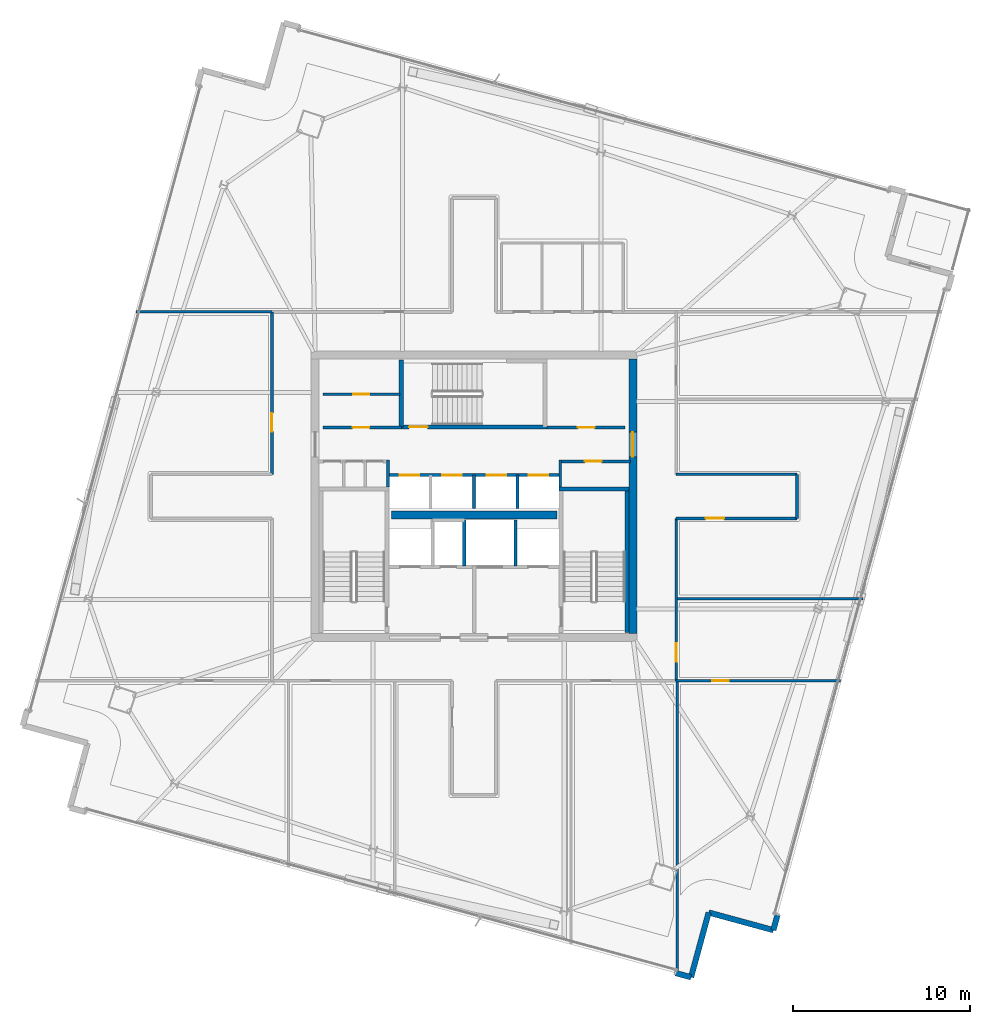
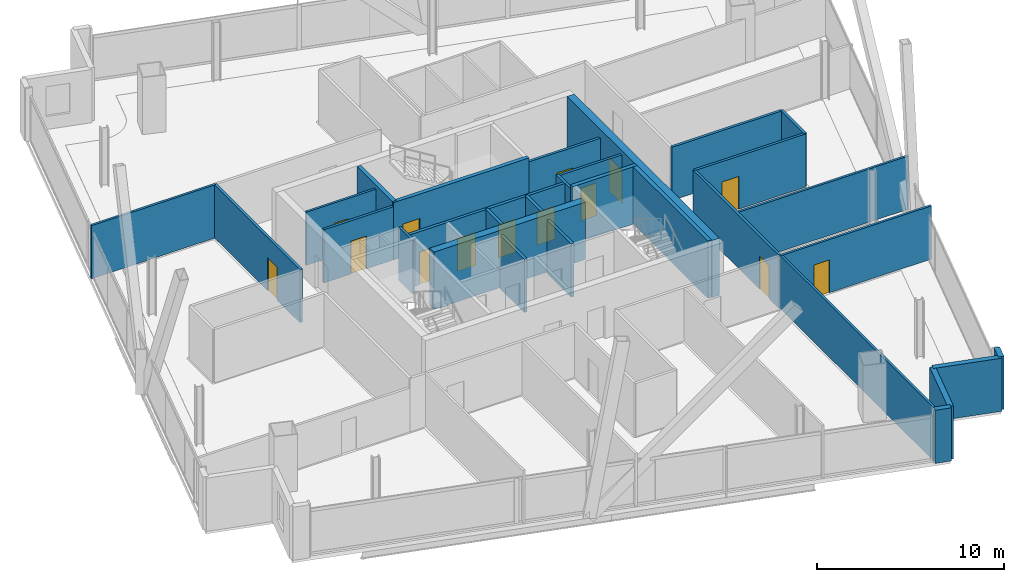
# One storey, part 21 of 26: 30 walls, 14 doors, 14 openings.
"""IFC4 building model written with IfcOpenShell, lengths in metres."""

from ifc_helpers import new_model, si_unit, direction, frame, frame_2d, origin, place, context, subcontext, project, spatial, rectangle, extrude, material, layer, layer_set, type_object, element, fill, save


model = new_model("IFC4")

# Units and contexts
model_context = context("Model", 3, precision=1e-05, world=origin(), true_north=direction((0.0, 1.0)))
body_context = subcontext(model_context, "Body", "Model", "MODEL_VIEW")
ifc_project = project(units=[si_unit("LENGTHUNIT", "METRE"), si_unit("AREAUNIT", "SQUARE_METRE"), si_unit("VOLUMEUNIT", "CUBIC_METRE"), si_unit("PLANEANGLEUNIT", "RADIAN"), si_unit("MASSUNIT", "GRAM", prefix="KILO")], contexts=[model_context])

# Site, building, storey
site_placement = place(None, origin())
site = spatial("IfcSite", under=ifc_project, at=site_placement, CompositionType="ELEMENT")
building_placement = place(site_placement, origin())
building = spatial("IfcBuilding", under=site, at=building_placement, Name="Haldenkirk Collegiate Tower", CompositionType="ELEMENT")
storey_placement = place(building_placement, frame((0.0, 0.0, 278.699951171875)))
storey = spatial("IfcBuildingStorey", under=building, at=storey_placement, Name="L70", CompositionType="ELEMENT", Elevation=278.699951171875)

# Wall, opening, door
ifc_material_1 = material(Name="Concrete f'c 55 MPa", Category="concrete")
ifc_layer_1 = layer(ifc_material_1, 0.449951171875)
ifc_layer_set_1 = layer_set([ifc_layer_1], Name="Concrete f'c 55 MPa")
wall_type_1 = type_object("IfcWallType", Name="WL-CORE-450", PredefinedType="SHEAR", material=ifc_layer_set_1)
wall_1_placement = place(storey_placement, frame((45.0, 18.22509765625, 0.0), z_axis=(0.0, 0.0, 1.0), x_axis=(0.0, 1.0, 0.0)))
wall_1 = element("IfcWall", 1, at=wall_1_placement, inside=storey, type_object=wall_type_1, Name="L70 central core shear wall E", PredefinedType="SHEAR", context=body_context, shape_type="SweptSolid", body=[
    extrude(rectangle(XDim=15.5498046875, YDim=0.449951171875, at=frame_2d((7.77490234375, 0.0))), origin(), (0.0, 0.0, 1.0), 3.75),
])
opening_1_placement = place(wall_1_placement, frame((10.014892578125, 0.0, 0.0)))
opening_1 = element("IfcOpeningElement", 2, at=opening_1_placement, cuts=wall_1, Name="Opening D-03", PredefinedType="OPENING", context=body_context, shape_type="SweptSolid", body=[
    extrude(rectangle(XDim=1.39990234375, YDim=2.199951171875, at=frame_2d((0.699951171875, 1.10009765625))), frame((0.0, 0.23486328125, 0.0), z_axis=(0.0, -1.0, 0.0), x_axis=(1.0, 0.0, 0.0)), (0.0, 0.0, 1.0), 0.469970703125),
])
ifc_material_2 = material(Name="Galvanized fire-rated hollow steel door", Category="steel")
ifc_layer_2 = layer(ifc_material_2, 0.06005859375)
ifc_layer_set_2 = layer_set([ifc_layer_2], Name="Galvanized fire-rated hollow steel door")
door_type_1 = type_object("IfcDoorType", Name="DR-LOBBY-FD90-1400", OperationType="NOTDEFINED", PredefinedType="DOOR", material=ifc_layer_set_2)
door_1_placement = place(opening_1_placement, origin())
door_1 = element("IfcDoor", 3, at=door_1_placement, inside=storey, type_object=door_type_1, Name="L70 east lift lobby portal", OperationType="DOUBLE_DOOR_SINGLE_SWING", OverallHeight=2.199951171875, OverallWidth=1.39990234375, PredefinedType="DOOR", context=body_context, shape_type="SweptSolid", body=[
    extrude(rectangle(XDim=1.39990234375, YDim=2.199951171875, at=frame_2d((0.699951171875, 1.10009765625))), frame((0.0, 0.02490234375, 0.0), z_axis=(0.0, -1.0, 0.0), x_axis=(1.0, 0.0, 0.0)), (0.0, 0.0, 1.0), 0.050048828125),
])
fill(opening_1, door_1)

# Walls
wall_2_placement = place(storey_placement, frame((31.31005859375, 24.949951171875, 0.0), z_axis=(0.0, 0.0, 1.0), x_axis=(1.0, 0.0, 0.0)))
element("IfcWall", 4, at=wall_2_placement, inside=storey, type_object=wall_type_1, Name="L70 central core spine shear wall", PredefinedType="SHEAR", context=body_context, shape_type="SweptSolid", body=[
    extrude(rectangle(XDim=9.3798828125, YDim=0.449951171875, at=frame_2d((4.68994140625, 0.0))), origin(), (0.0, 0.0, 1.0), 3.75),
])
ifc_material_3 = material(Name="Precast concrete f'c 40 MPa", Category="concrete")
ifc_layer_3 = layer(ifc_material_3, 0.320068359375)
ifc_layer_set_3 = layer_set([ifc_layer_3], Name="Precast concrete f'c 40 MPa")
wall_type_2 = type_object("IfcWallType", Name="WL-EXT-TWR-320", PredefinedType="STANDARD", material=ifc_layer_set_3)
wall_3_placement = place(storey_placement, frame((53.194580078125, 2.29248046875, 0.0), z_axis=(0.0, 0.0, 1.0), x_axis=(-0.262910777808, -0.964820150553, 0.0)))
element("IfcWall", 5, at=wall_3_placement, inside=storey, type_object=wall_type_2, Name="L70 precast corner pier SR", PredefinedType="STANDARD", context=body_context, shape_type="SweptSolid", body=[
    extrude(rectangle(XDim=0.89990234375, YDim=0.320068359375, at=frame_2d((0.449951171875, 0.0))), origin(), (0.0, 0.0, 1.0), 3.47998046875),
])
wall_4_placement = place(storey_placement, frame((48.292236328125, -1.242431640625, 0.0), z_axis=(0.0, 0.0, 1.0), x_axis=(-0.964838897514, 0.262841971237, 0.0)))
element("IfcWall", 6, at=wall_4_placement, inside=storey, type_object=wall_type_2, Name="L70 precast corner pier WL", PredefinedType="STANDARD", context=body_context, shape_type="SweptSolid", body=[
    extrude(rectangle(XDim=0.900146484375, YDim=0.320068359375, at=frame_2d((0.4501953125, 0.0))), origin(), (0.0, 0.0, 1.0), 3.47998046875),
])
wall_5_placement = place(storey_placement, frame((49.291748046875, 2.423583984375, 0.0), z_axis=(0.0, 0.0, 1.0), x_axis=(-0.263041292916, -0.964784576069, 0.0)))
element("IfcWall", 7, at=wall_5_placement, inside=storey, type_object=wall_type_2, Name="L70 bronze precast notch wall 11", PredefinedType="STANDARD", context=body_context, shape_type="SweptSolid", body=[
    extrude(rectangle(XDim=3.7998046875, YDim=0.320068359375, at=frame_2d((1.89990234375, 0.0))), origin(), (0.0, 0.0, 1.0), 3.47998046875),
])
wall_6_placement = place(storey_placement, frame((52.9580078125, 1.42431640625, 0.0), z_axis=(0.0, 0.0, 1.0), x_axis=(-0.964805323025, 0.262965185266, 0.0)))
element("IfcWall", 8, at=wall_6_placement, inside=storey, type_object=wall_type_2, Name="L70 bronze precast notch wall 12", PredefinedType="STANDARD", context=body_context, shape_type="SweptSolid", body=[
    extrude(rectangle(XDim=3.800048828125, YDim=0.320068359375, at=frame_2d((1.89990234375, 0.0))), origin(), (0.0, 0.0, 1.0), 3.47998046875),
])
ifc_material_4 = material(Name="Acoustic fire-rated gypsum partition", Category="concrete")
ifc_layer_4 = layer(ifc_material_4, 0.159912109375)
ifc_layer_set_4 = layer_set([ifc_layer_4], Name="Acoustic fire-rated gypsum partition")
wall_type_3 = type_object("IfcWallType", Name="WL-INT-CORR-160", PredefinedType="PARTITIONING", material=ifc_layer_set_4)
wall_7_placement = place(storey_placement, frame((31.1201171875, 26.5400390625, 0.0), z_axis=(0.0, 0.0, 1.0), x_axis=(0.0, 1.0, 0.0)))
element("IfcWall", 9, at=wall_7_placement, inside=storey, type_object=wall_type_3, Name="L70 interior partition IW-L70-VCSW-E", PredefinedType="PARTITIONING", context=body_context, shape_type="SweptSolid", body=[
    extrude(rectangle(XDim=1.510009765625, YDim=0.159912109375, at=frame_2d((0.7548828125, 0.0))), origin(), (0.0, 0.0, 1.0), 3.47998046875),
])

# Wall, opening, door
wall_8_placement = place(storey_placement, frame((40.800048828125, 27.97998046875, 0.0), z_axis=(0.0, 0.0, 1.0), x_axis=(1.0, 0.0, 0.0)))
wall_8 = element("IfcWall", 10, at=wall_8_placement, inside=storey, type_object=wall_type_3, Name="L70 interior partition IW-L70-VCSE-N", PredefinedType="PARTITIONING", context=body_context, shape_type="SweptSolid", body=[
    extrude(rectangle(XDim=4.050048828125, YDim=0.159912109375, at=frame_2d((2.02490234375, 0.0))), origin(), (0.0, 0.0, 1.0), 3.47998046875),
])
opening_2_placement = place(wall_8_placement, frame((1.47509765625, 0.0, 0.0)))
opening_2 = element("IfcOpeningElement", 11, at=opening_2_placement, cuts=wall_8, Name="Opening D-10", PredefinedType="OPENING", context=body_context, shape_type="SweptSolid", body=[
    extrude(rectangle(XDim=0.949951171875, YDim=2.14990234375, at=frame_2d((0.47509765625, 1.074951171875))), frame((0.0, 0.08984375, 0.0), z_axis=(0.0, -1.0, 0.0), x_axis=(1.0, 0.0, 0.0)), (0.0, 0.0, 1.0), 0.179931640625),
])
ifc_material_5 = material(Name="Solid-core architectural oak fire door", Category="wood")
ifc_layer_5 = layer(ifc_material_5, 0.06005859375)
ifc_layer_set_5 = layer_set([ifc_layer_5], Name="Solid-core architectural oak fire door")
door_type_2 = type_object("IfcDoorType", Name="DR-INT-FD60-950", OperationType="NOTDEFINED", PredefinedType="DOOR", material=ifc_layer_set_5)
door_2_placement = place(opening_2_placement, origin())
door_2 = element("IfcDoor", 12, at=door_2_placement, inside=storey, type_object=door_type_2, Name="L70 core archive vault door", OperationType="SINGLE_SWING_RIGHT", OverallHeight=2.14990234375, OverallWidth=0.949951171875, PredefinedType="DOOR", context=body_context, shape_type="SweptSolid", body=[
    extrude(rectangle(XDim=0.949951171875, YDim=2.14990234375, at=frame_2d((0.47509765625, 1.074951171875))), frame((0.0, 0.02490234375, 0.0), z_axis=(0.0, -1.0, 0.0), x_axis=(1.0, 0.0, 0.0)), (0.0, 0.0, 1.0), 0.050048828125),
])
fill(opening_2, door_2)

# Wall
wall_9_placement = place(storey_placement, frame((40.8798828125, 26.5400390625, 0.0), z_axis=(0.0, 0.0, 1.0), x_axis=(0.0, 1.0, 0.0)))
element("IfcWall", 13, at=wall_9_placement, inside=storey, type_object=wall_type_3, Name="L70 interior partition IW-L70-VCSE-W", PredefinedType="PARTITIONING", context=body_context, shape_type="SweptSolid", body=[
    extrude(rectangle(XDim=1.510009765625, YDim=0.159912109375, at=frame_2d((0.7548828125, 0.0))), origin(), (0.0, 0.0, 1.0), 3.47998046875),
])

# Wall, opening, door
wall_10_placement = place(storey_placement, frame((27.449951171875, 29.89990234375, 0.0), z_axis=(0.0, 0.0, 1.0), x_axis=(1.0, 0.0, 0.0)))
wall_10 = element("IfcWall", 14, at=wall_10_placement, inside=storey, type_object=wall_type_3, Name="L70 interior partition IW-L70-PLS", PredefinedType="PARTITIONING", context=body_context, shape_type="SweptSolid", body=[
    extrude(rectangle(XDim=4.429931640625, YDim=0.159912109375, at=frame_2d((2.21484375, 0.0))), origin(), (0.0, 0.0, 1.0), 3.47998046875),
])
opening_3_placement = place(wall_10_placement, frame((1.675048828125, 0.0, 0.0)))
opening_3 = element("IfcOpeningElement", 15, at=opening_3_placement, cuts=wall_10, Name="Opening D-10", PredefinedType="OPENING", context=body_context, shape_type="SweptSolid", body=[
    extrude(rectangle(XDim=0.949951171875, YDim=2.14990234375, at=frame_2d((0.47509765625, 1.074951171875))), frame((0.0, 0.08984375, 0.0), z_axis=(0.0, -1.0, 0.0), x_axis=(1.0, 0.0, 0.0)), (0.0, 0.0, 1.0), 0.179931640625),
])
door_3_placement = place(opening_3_placement, origin())
door_3 = element("IfcDoor", 16, at=door_3_placement, inside=storey, type_object=door_type_2, Name="L70 consultation door", OperationType="SINGLE_SWING_LEFT", OverallHeight=2.14990234375, OverallWidth=0.949951171875, PredefinedType="DOOR", context=body_context, shape_type="SweptSolid", body=[
    extrude(rectangle(XDim=0.949951171875, YDim=2.14990234375, at=frame_2d((0.47509765625, 1.074951171875))), frame((0.0, 0.02490234375, 0.0), z_axis=(0.0, -1.0, 0.0), x_axis=(1.0, 0.0, 0.0)), (0.0, 0.0, 1.0), 0.050048828125),
])
fill(opening_3, door_3)

wall_11_placement = place(storey_placement, frame((40.1201171875, 29.89990234375, 0.0), z_axis=(0.0, 0.0, 1.0), x_axis=(1.0, 0.0, 0.0)))
wall_11 = element("IfcWall", 17, at=wall_11_placement, inside=storey, type_object=wall_type_3, Name="L70 interior partition IW-L70-PMS", PredefinedType="PARTITIONING", context=body_context, shape_type="SweptSolid", body=[
    extrude(rectangle(XDim=4.429931640625, YDim=0.159912109375, at=frame_2d((2.21484375, 0.0))), origin(), (0.0, 0.0, 1.0), 3.47998046875),
])
opening_4_placement = place(wall_11_placement, frame((1.7548828125, 0.0, 0.0)))
opening_4 = element("IfcOpeningElement", 18, at=opening_4_placement, cuts=wall_11, Name="Opening D-10", PredefinedType="OPENING", context=body_context, shape_type="SweptSolid", body=[
    extrude(rectangle(XDim=0.949951171875, YDim=2.14990234375, at=frame_2d((0.47509765625, 1.074951171875))), frame((0.0, 0.08984375, 0.0), z_axis=(0.0, -1.0, 0.0), x_axis=(1.0, 0.0, 0.0)), (0.0, 0.0, 1.0), 0.179931640625),
])
door_4_placement = place(opening_4_placement, origin())
door_4 = element("IfcDoor", 19, at=door_4_placement, inside=storey, type_object=door_type_2, Name="L70 reference archive door", OperationType="SINGLE_SWING_LEFT", OverallHeight=2.14990234375, OverallWidth=0.949951171875, PredefinedType="DOOR", context=body_context, shape_type="SweptSolid", body=[
    extrude(rectangle(XDim=0.949951171875, YDim=2.14990234375, at=frame_2d((0.47509765625, 1.074951171875))), frame((0.0, 0.02490234375, 0.0), z_axis=(0.0, -1.0, 0.0), x_axis=(1.0, 0.0, 0.0)), (0.0, 0.0, 1.0), 0.050048828125),
])
fill(opening_4, door_4)

wall_12_placement = place(storey_placement, frame((24.550048828125, 27.25, 0.0), z_axis=(0.0, 0.0, 1.0), x_axis=(0.0, 1.0, 0.0)))
wall_12 = element("IfcWall", 20, at=wall_12_placement, inside=storey, type_object=wall_type_3, Name="L70 interior partition IW-L70-CW2", PredefinedType="PARTITIONING", context=body_context, shape_type="SweptSolid", body=[
    extrude(rectangle(XDim=9.199951171875, YDim=0.159912109375, at=frame_2d((4.60009765625, 0.0))), origin(), (0.0, 0.0, 1.0), 3.47998046875),
])
opening_5_placement = place(wall_12_placement, frame((2.4189453125, 0.0, 0.0)))
opening_5 = element("IfcOpeningElement", 21, at=opening_5_placement, cuts=wall_12, Name="Opening D-09", PredefinedType="OPENING", context=body_context, shape_type="SweptSolid", body=[
    extrude(rectangle(XDim=1.050048828125, YDim=2.14990234375, at=frame_2d((0.52490234375, 1.074951171875))), frame((0.0, 0.08984375, 0.0), z_axis=(0.0, -1.0, 0.0), x_axis=(1.0, 0.0, 0.0)), (0.0, 0.0, 1.0), 0.179931640625),
])
ifc_layer_6 = layer(ifc_material_5, 0.06005859375)
ifc_layer_set_6 = layer_set([ifc_layer_6], Name="Solid-core architectural oak fire door")
door_type_3 = type_object("IfcDoorType", Name="DR-INT-FD60-1050", OperationType="NOTDEFINED", PredefinedType="DOOR", material=ifc_layer_set_6)
door_5_placement = place(opening_5_placement, origin())
door_5 = element("IfcDoor", 22, at=door_5_placement, inside=storey, type_object=door_type_3, Name="L70 Collegiate Commons Lounge 7 door", OperationType="SINGLE_SWING_LEFT", OverallHeight=2.14990234375, OverallWidth=1.050048828125, PredefinedType="DOOR", context=body_context, shape_type="SweptSolid", body=[
    extrude(rectangle(XDim=1.050048828125, YDim=2.14990234375, at=frame_2d((0.52490234375, 1.074951171875))), frame((0.0, 0.02490234375, 0.0), z_axis=(0.0, -1.0, 0.0), x_axis=(1.0, 0.0, 0.0)), (0.0, 0.0, 1.0), 0.050048828125),
])
fill(opening_5, door_5)

wall_13_placement = place(storey_placement, frame((47.449951171875, 15.550048828125, 0.0), z_axis=(0.0, 0.0, 1.0), x_axis=(0.0, 1.0, 0.0)))
wall_13 = element("IfcWall", 23, at=wall_13_placement, inside=storey, type_object=wall_type_3, Name="L70 interior partition IW-L70-CE1", PredefinedType="PARTITIONING", context=body_context, shape_type="SweptSolid", body=[
    extrude(rectangle(XDim=9.199951171875, YDim=0.159912109375, at=frame_2d((4.60009765625, 0.0))), origin(), (0.0, 0.0, 1.0), 3.47998046875),
])
opening_6_placement = place(wall_13_placement, frame((1.069091796875, 0.0, 0.0)))
opening_6 = element("IfcOpeningElement", 24, at=opening_6_placement, cuts=wall_13, Name="Opening D-09", PredefinedType="OPENING", context=body_context, shape_type="SweptSolid", body=[
    extrude(rectangle(XDim=1.050048828125, YDim=2.14990234375, at=frame_2d((0.52490234375, 1.074951171875))), frame((0.0, 0.08984375, 0.0), z_axis=(0.0, -1.0, 0.0), x_axis=(1.0, 0.0, 0.0)), (0.0, 0.0, 1.0), 0.179931640625),
])
door_6_placement = place(opening_6_placement, origin())
door_6 = element("IfcDoor", 25, at=door_6_placement, inside=storey, type_object=door_type_3, Name="L70 Student Reading Lounge 8 door", OperationType="SINGLE_SWING_RIGHT", OverallHeight=2.14990234375, OverallWidth=1.050048828125, PredefinedType="DOOR", context=body_context, shape_type="SweptSolid", body=[
    extrude(rectangle(XDim=1.050048828125, YDim=2.14990234375, at=frame_2d((0.52490234375, 1.074951171875))), frame((0.0, 0.02490234375, 0.0), z_axis=(0.0, -1.0, 0.0), x_axis=(1.0, 0.0, 0.0)), (0.0, 0.0, 1.0), 0.050048828125),
])
fill(opening_6, door_6)

wall_14_placement = place(storey_placement, frame((47.449951171875, 24.75, 0.0), z_axis=(0.0, 0.0, 1.0), x_axis=(1.0, 0.0, 0.0)))
wall_14 = element("IfcWall", 26, at=wall_14_placement, inside=storey, type_object=wall_type_3, Name="L70 interior partition IW-L70-EPS", PredefinedType="PARTITIONING", context=body_context, shape_type="SweptSolid", body=[
    extrude(rectangle(XDim=6.85009765625, YDim=0.159912109375, at=frame_2d((3.425048828125, 0.0))), origin(), (0.0, 0.0, 1.0), 3.47998046875),
])
opening_7_placement = place(wall_14_placement, frame((1.6669921875, 0.0, 0.0)))
opening_7 = element("IfcOpeningElement", 27, at=opening_7_placement, cuts=wall_14, Name="Opening D-09", PredefinedType="OPENING", context=body_context, shape_type="SweptSolid", body=[
    extrude(rectangle(XDim=1.050048828125, YDim=2.14990234375, at=frame_2d((0.52490234375, 1.074951171875))), frame((0.0, 0.08984375, 0.0), z_axis=(0.0, -1.0, 0.0), x_axis=(1.0, 0.0, 0.0)), (0.0, 0.0, 1.0), 0.179931640625),
])
door_7_placement = place(opening_7_placement, origin())
door_7 = element("IfcDoor", 28, at=door_7_placement, inside=storey, type_object=door_type_3, Name="L70 Graduate Study Lounge 9 door", OperationType="SINGLE_SWING_LEFT", OverallHeight=2.14990234375, OverallWidth=1.050048828125, PredefinedType="DOOR", context=body_context, shape_type="SweptSolid", body=[
    extrude(rectangle(XDim=1.050048828125, YDim=2.14990234375, at=frame_2d((0.52490234375, 1.074951171875))), frame((0.0, 0.02490234375, 0.0), z_axis=(0.0, -1.0, 0.0), x_axis=(1.0, 0.0, 0.0)), (0.0, 0.0, 1.0), 0.050048828125),
])
fill(opening_7, door_7)

# Walls
wall_15_placement = place(storey_placement, frame((47.449951171875, 27.25, 0.0), z_axis=(0.0, 0.0, 1.0), x_axis=(1.0, 0.0, 0.0)))
element("IfcWall", 29, at=wall_15_placement, inside=storey, type_object=wall_type_3, Name="L70 interior partition IW-L70-EPN", PredefinedType="PARTITIONING", context=body_context, shape_type="SweptSolid", body=[
    extrude(rectangle(XDim=6.85009765625, YDim=0.159912109375, at=frame_2d((3.425048828125, 0.0))), origin(), (0.0, 0.0, 1.0), 3.47998046875),
])
wall_16_placement = place(storey_placement, frame((54.300048828125, 24.75, 0.0), z_axis=(0.0, 0.0, 1.0), x_axis=(0.0, 1.0, 0.0)))
element("IfcWall", 30, at=wall_16_placement, inside=storey, type_object=wall_type_3, Name="L70 interior partition IW-L70-EPE", PredefinedType="PARTITIONING", context=body_context, shape_type="SweptSolid", body=[
    extrude(rectangle(XDim=2.5, YDim=0.159912109375, at=frame_2d((1.25, 0.0))), origin(), (0.0, 0.0, 1.0), 3.47998046875),
])

# Wall, opening, door
ifc_layer_7 = layer(ifc_material_4, 0.139892578125)
ifc_layer_set_7 = layer_set([ifc_layer_7], Name="Acoustic fire-rated gypsum partition")
wall_type_4 = type_object("IfcWallType", Name="WL-INT-DIV-140", PredefinedType="PARTITIONING", material=ifc_layer_set_7)
wall_17_placement = place(storey_placement, frame((27.449951171875, 31.780029296875, 0.0), z_axis=(0.0, 0.0, 1.0), x_axis=(1.0, 0.0, 0.0)))
wall_17 = element("IfcWall", 31, at=wall_17_placement, inside=storey, type_object=wall_type_4, Name="L70 interior partition IW-L70-PLDIVH", PredefinedType="PARTITIONING", context=body_context, shape_type="SweptSolid", body=[
    extrude(rectangle(XDim=4.35009765625, YDim=0.139892578125, at=frame_2d((2.175048828125, 0.0))), origin(), (0.0, 0.0, 1.0), 3.47998046875),
])
opening_8_placement = place(wall_17_placement, frame((1.699951171875, 0.0, 0.0)))
opening_8 = element("IfcOpeningElement", 32, at=opening_8_placement, cuts=wall_17, Name="Opening D-13", PredefinedType="OPENING", context=body_context, shape_type="SweptSolid", body=[
    extrude(rectangle(XDim=0.89990234375, YDim=2.14990234375, at=frame_2d((0.449951171875, 1.074951171875))), frame((0.0, 0.079833984375, 0.0), z_axis=(0.0, -1.0, 0.0), x_axis=(1.0, 0.0, 0.0)), (0.0, 0.0, 1.0), 0.159912109375),
])
ifc_layer_8 = layer(ifc_material_5, 0.06005859375)
ifc_layer_set_8 = layer_set([ifc_layer_8], Name="Solid-core architectural oak fire door")
door_type_4 = type_object("IfcDoorType", Name="DR-INT-STD-900", OperationType="NOTDEFINED", PredefinedType="DOOR", material=ifc_layer_set_8)
door_8_placement = place(opening_8_placement, origin())
door_8 = element("IfcDoor", 33, at=door_8_placement, inside=storey, type_object=door_type_4, Name="L70 folio vault door", OperationType="SINGLE_SWING_RIGHT", OverallHeight=2.14990234375, OverallWidth=0.89990234375, PredefinedType="DOOR", context=body_context, shape_type="SweptSolid", body=[
    extrude(rectangle(XDim=0.89990234375, YDim=2.14990234375, at=frame_2d((0.449951171875, 1.074951171875))), frame((0.0, 0.02490234375, 0.0), z_axis=(0.0, -1.0, 0.0), x_axis=(1.0, 0.0, 0.0)), (0.0, 0.0, 1.0), 0.050048828125),
])
fill(opening_8, door_8)

# Wall
wall_18_placement = place(storey_placement, frame((16.86474609375, 36.449951171875, 0.0), z_axis=(0.0, 0.0, 1.0), x_axis=(1.0, 0.0, 0.0)))
element("IfcWall", 34, at=wall_18_placement, inside=storey, type_object=wall_type_4, Name="L70 interior partition IW-L70-BWN", PredefinedType="PARTITIONING", context=body_context, shape_type="SweptSolid", body=[
    extrude(rectangle(XDim=7.685302734375, YDim=0.139892578125, at=frame_2d((3.8427734375, 0.0))), origin(), (0.0, 0.0, 1.0), 3.47998046875),
])

# Wall, opening, door
wall_19_placement = place(storey_placement, frame((47.449951171875, 15.550048828125, 0.0), z_axis=(0.0, 0.0, 1.0), x_axis=(1.0, 0.0, 0.0)))
wall_19 = element("IfcWall", 35, at=wall_19_placement, inside=storey, type_object=wall_type_4, Name="L70 interior partition IW-L70-BES", PredefinedType="PARTITIONING", context=body_context, shape_type="SweptSolid", body=[
    extrude(rectangle(XDim=9.317626953125, YDim=0.139892578125, at=frame_2d((4.65869140625, 0.0))), origin(), (0.0, 0.0, 1.0), 3.47998046875),
])
opening_9_placement = place(wall_19_placement, frame((2.041015625, 0.0, 0.0)))
opening_9 = element("IfcOpeningElement", 36, at=opening_9_placement, cuts=wall_19, Name="Opening D-12", PredefinedType="OPENING", context=body_context, shape_type="SweptSolid", body=[
    extrude(rectangle(XDim=0.949951171875, YDim=2.14990234375, at=frame_2d((0.47509765625, 1.074951171875))), frame((0.0, 0.079833984375, 0.0), z_axis=(0.0, -1.0, 0.0), x_axis=(1.0, 0.0, 0.0)), (0.0, 0.0, 1.0), 0.159912109375),
])
ifc_layer_9 = layer(ifc_material_5, 0.06005859375)
ifc_layer_set_9 = layer_set([ifc_layer_9], Name="Solid-core architectural oak fire door")
door_type_5 = type_object("IfcDoorType", Name="DR-INT-STD-950", OperationType="NOTDEFINED", PredefinedType="DOOR", material=ifc_layer_set_9)
door_9_placement = place(opening_9_placement, origin())
door_9 = element("IfcDoor", 37, at=door_9_placement, inside=storey, type_object=door_type_5, Name="L70 Periodical Reading Lounge 5 door", OperationType="SINGLE_SWING_LEFT", OverallHeight=2.14990234375, OverallWidth=0.949951171875, PredefinedType="DOOR", context=body_context, shape_type="SweptSolid", body=[
    extrude(rectangle(XDim=0.949951171875, YDim=2.14990234375, at=frame_2d((0.47509765625, 1.074951171875))), frame((0.0, 0.02490234375, 0.0), z_axis=(0.0, -1.0, 0.0), x_axis=(1.0, 0.0, 0.0)), (0.0, 0.0, 1.0), 0.050048828125),
])
fill(opening_9, door_9)

# Walls
wall_20_placement = place(storey_placement, frame((47.5, -0.985107421875, 0.0), z_axis=(0.0, 0.0, 1.0), x_axis=(0.0, 1.0, 0.0)))
element("IfcWall", 38, at=wall_20_placement, inside=storey, type_object=wall_type_4, Name="L70 interior partition IW-L70-RS4", PredefinedType="PARTITIONING", context=body_context, shape_type="SweptSolid", body=[
    extrude(rectangle(XDim=16.53515625, YDim=0.139892578125, at=frame_2d((8.267578125, 0.0))), origin(), (0.0, 0.0, 1.0), 3.47998046875),
])
wall_21_placement = place(storey_placement, frame((47.449951171875, 20.199951171875, 0.0), z_axis=(0.0, 0.0, 1.0), x_axis=(1.0, 0.0, 0.0)))
element("IfcWall", 39, at=wall_21_placement, inside=storey, type_object=wall_type_4, Name="L70 interior partition IW-L70-RE1", PredefinedType="PARTITIONING", context=body_context, shape_type="SweptSolid", body=[
    extrude(rectangle(XDim=10.58544921875, YDim=0.139892578125, at=frame_2d((5.292724609375, 0.0))), origin(), (0.0, 0.0, 1.0), 3.47998046875),
])
ifc_material_6 = material(Name="Fire-rated gypsum shaftboard assembly", Category="concrete")
ifc_layer_10 = layer(ifc_material_6, 0.179931640625)
ifc_layer_set_10 = layer_set([ifc_layer_10], Name="Fire-rated gypsum shaftboard assembly")
wall_type_5 = type_object("IfcWallType", Name="WL-INT-SHAFT-180", PredefinedType="PARTITIONING", material=ifc_layer_set_10)
for number, where, z_axis, x_axis, name in (
    (40, (35.449951171875, 22.050048828125, 0.0), (0.0, 0.0, 1.0), (0.0, 1.0, 0.0), "L70 interior partition IW-L70-GL1W"),
    (41, (38.35009765625, 22.050048828125, 0.0), (0.0, 0.0, 1.0), (0.0, 1.0, 0.0), "L70 interior partition IW-L70-GL1E"),
):
    element("IfcWall", number, at=place(storey_placement, frame(where, z_axis=z_axis, x_axis=x_axis)), inside=storey, type_object=wall_type_5, Name=name, PredefinedType="PARTITIONING", context=body_context, shape_type="SweptSolid", body=[
        extrude(rectangle(XDim=2.599853515625, YDim=0.179931640625, at=frame_2d((1.2998046875, 0.0))), origin(), (0.0, 0.0, 1.0), 3.47998046875),
    ])

# Wall, openings, doors
wall_22_placement = place(storey_placement, frame((31.199951171875, 27.199951171875, 0.0), z_axis=(0.0, 0.0, 1.0), x_axis=(1.0, 0.0, 0.0)))
wall_22 = element("IfcWall", 42, at=wall_22_placement, inside=storey, type_object=wall_type_5, Name="L70 interior partition IW-L70-PHN", PredefinedType="PARTITIONING", context=body_context, shape_type="SweptSolid", body=[
    extrude(rectangle(XDim=9.60009765625, YDim=0.179931640625, at=frame_2d((4.800048828125, 0.0))), origin(), (0.0, 0.0, 1.0), 3.47998046875),
])
opening_10_placement = place(wall_22_placement, frame((0.590087890625, 0.0, 0.0)))
opening_10 = element("IfcOpeningElement", 43, at=opening_10_placement, cuts=wall_22, Name="Opening LD-11", PredefinedType="OPENING", context=body_context, shape_type="SweptSolid", body=[
    extrude(rectangle(XDim=1.10009765625, YDim=2.14990234375, at=frame_2d((0.550048828125, 1.074951171875))), frame((0.0, 0.099853515625, 0.0), z_axis=(0.0, -1.0, 0.0), x_axis=(1.0, 0.0, 0.0)), (0.0, 0.0, 1.0), 0.199951171875),
])
opening_11_placement = place(wall_22_placement, frame((2.989990234375, 0.0, 0.0)))
opening_11 = element("IfcOpeningElement", 44, at=opening_11_placement, cuts=wall_22, Name="Opening LD-11", PredefinedType="OPENING", context=body_context, shape_type="SweptSolid", body=[
    extrude(rectangle(XDim=1.10009765625, YDim=2.14990234375, at=frame_2d((0.550048828125, 1.074951171875))), frame((0.0, 0.099853515625, 0.0), z_axis=(0.0, -1.0, 0.0), x_axis=(1.0, 0.0, 0.0)), (0.0, 0.0, 1.0), 0.199951171875),
])
opening_12_placement = place(wall_22_placement, frame((5.510009765625, 0.0, 0.0)))
opening_12 = element("IfcOpeningElement", 45, at=opening_12_placement, cuts=wall_22, Name="Opening LD-11", PredefinedType="OPENING", context=body_context, shape_type="SweptSolid", body=[
    extrude(rectangle(XDim=1.10009765625, YDim=2.14990234375, at=frame_2d((0.550048828125, 1.074951171875))), frame((0.0, 0.099853515625, 0.0), z_axis=(0.0, -1.0, 0.0), x_axis=(1.0, 0.0, 0.0)), (0.0, 0.0, 1.0), 0.199951171875),
])
opening_13_placement = place(wall_22_placement, frame((7.909912109375, 0.0, 0.0)))
opening_13 = element("IfcOpeningElement", 46, at=opening_13_placement, cuts=wall_22, Name="Opening LD-11", PredefinedType="OPENING", context=body_context, shape_type="SweptSolid", body=[
    extrude(rectangle(XDim=1.10009765625, YDim=2.14990234375, at=frame_2d((0.550048828125, 1.074951171875))), frame((0.0, 0.099853515625, 0.0), z_axis=(0.0, -1.0, 0.0), x_axis=(1.0, 0.0, 0.0)), (0.0, 0.0, 1.0), 0.199951171875),
])
ifc_material_7 = material(Name="Brushed architectural stainless steel", Category="steel")
ifc_layer_11 = layer(ifc_material_7, 0.06005859375)
ifc_layer_set_11 = layer_set([ifc_layer_11], Name="Brushed architectural stainless steel")
door_type_6 = type_object("IfcDoorType", Name="LD-PASS-1100", OperationType="NOTDEFINED", PredefinedType="DOOR", material=ifc_layer_set_11)
door_10_placement = place(opening_10_placement, origin())
door_10 = element("IfcDoor", 47, at=door_10_placement, inside=storey, type_object=door_type_6, Name="L70 Elevator PH1 sliding landing door", OperationType="SLIDING_TO_LEFT", OverallHeight=2.14990234375, OverallWidth=1.10009765625, PredefinedType="DOOR", context=body_context, shape_type="SweptSolid", body=[
    extrude(rectangle(XDim=1.10009765625, YDim=2.14990234375, at=frame_2d((0.550048828125, 1.074951171875))), frame((0.0, 0.02490234375, 0.0), z_axis=(0.0, -1.0, 0.0), x_axis=(1.0, 0.0, 0.0)), (0.0, 0.0, 1.0), 0.050048828125),
])
fill(opening_10, door_10)
door_11_placement = place(opening_11_placement, origin())
door_11 = element("IfcDoor", 48, at=door_11_placement, inside=storey, type_object=door_type_6, Name="L70 Elevator PH2 sliding landing door", OperationType="SLIDING_TO_LEFT", OverallHeight=2.14990234375, OverallWidth=1.10009765625, PredefinedType="DOOR", context=body_context, shape_type="SweptSolid", body=[
    extrude(rectangle(XDim=1.10009765625, YDim=2.14990234375, at=frame_2d((0.550048828125, 1.074951171875))), frame((0.0, 0.02490234375, 0.0), z_axis=(0.0, -1.0, 0.0), x_axis=(1.0, 0.0, 0.0)), (0.0, 0.0, 1.0), 0.050048828125),
])
fill(opening_11, door_11)
door_12_placement = place(opening_12_placement, origin())
door_12 = element("IfcDoor", 49, at=door_12_placement, inside=storey, type_object=door_type_6, Name="L70 Elevator PH3 sliding landing door", OperationType="SLIDING_TO_LEFT", OverallHeight=2.14990234375, OverallWidth=1.10009765625, PredefinedType="DOOR", context=body_context, shape_type="SweptSolid", body=[
    extrude(rectangle(XDim=1.10009765625, YDim=2.14990234375, at=frame_2d((0.550048828125, 1.074951171875))), frame((0.0, 0.02490234375, 0.0), z_axis=(0.0, -1.0, 0.0), x_axis=(1.0, 0.0, 0.0)), (0.0, 0.0, 1.0), 0.050048828125),
])
fill(opening_12, door_12)
door_13_placement = place(opening_13_placement, origin())
door_13 = element("IfcDoor", 50, at=door_13_placement, inside=storey, type_object=door_type_6, Name="L70 Elevator PH4 sliding landing door", OperationType="SLIDING_TO_LEFT", OverallHeight=2.14990234375, OverallWidth=1.10009765625, PredefinedType="DOOR", context=body_context, shape_type="SweptSolid", body=[
    extrude(rectangle(XDim=1.10009765625, YDim=2.14990234375, at=frame_2d((0.550048828125, 1.074951171875))), frame((0.0, 0.02490234375, 0.0), z_axis=(0.0, -1.0, 0.0), x_axis=(1.0, 0.0, 0.0)), (0.0, 0.0, 1.0), 0.050048828125),
])
fill(opening_13, door_13)

# Walls
for number, where, z_axis, x_axis, name in (
    (51, (36.0, 25.300048828125, 0.0), (0.0, 0.0, 1.0), (0.0, 1.0, 0.0), "L70 interior partition IW-L70-PHV2"),
    (52, (38.4599609375, 25.300048828125, 0.0), (0.0, 0.0, 1.0), (0.0, 1.0, 0.0), "L70 interior partition IW-L70-PHV3"),
):
    element("IfcWall", number, at=place(storey_placement, frame(where, z_axis=z_axis, x_axis=x_axis)), inside=storey, type_object=wall_type_5, Name=name, PredefinedType="PARTITIONING", context=body_context, shape_type="SweptSolid", body=[
        extrude(rectangle(XDim=1.89990234375, YDim=0.179931640625, at=frame_2d((0.949951171875, 0.0))), origin(), (0.0, 0.0, 1.0), 3.47998046875),
    ])
ifc_layer_12 = layer(ifc_material_1, 0.239990234375)
ifc_layer_set_12 = layer_set([ifc_layer_12], Name="Concrete f'c 55 MPa")
wall_type_6 = type_object("IfcWallType", Name="WL-SHAFT-240", PredefinedType="SHEAR", material=ifc_layer_set_12)
wall_23_placement = place(storey_placement, frame((40.81005859375, 26.419921875, 0.0), z_axis=(0.0, 0.0, 1.0), x_axis=(1.0, 0.0, 0.0)))
element("IfcWall", 53, at=wall_23_placement, inside=storey, type_object=wall_type_6, Name="L70 stair shaft shear wall SW-L70-ST2N", PredefinedType="SHEAR", context=body_context, shape_type="SweptSolid", body=[
    extrude(rectangle(XDim=3.97998046875, YDim=0.239990234375, at=frame_2d((1.989990234375, 0.0))), origin(), (0.0, 0.0, 1.0), 3.75),
])
wall_24_placement = place(storey_placement, frame((44.669921875, 18.280029296875, 0.0), z_axis=(0.0, 0.0, 1.0), x_axis=(0.0, 1.0, 0.0)))
element("IfcWall", 54, at=wall_24_placement, inside=storey, type_object=wall_type_6, Name="L70 stair shaft shear wall SW-L70-ST2E", PredefinedType="SHEAR", context=body_context, shape_type="SweptSolid", body=[
    extrude(rectangle(XDim=8.260009765625, YDim=0.239990234375, at=frame_2d((4.1298828125, 0.0))), origin(), (0.0, 0.0, 1.0), 3.75),
])

# Wall, opening, door
wall_25_placement = place(storey_placement, frame((31.760009765625, 29.929931640625, 0.0), z_axis=(0.0, 0.0, 1.0), x_axis=(1.0, 0.0, 0.0)))
wall_25 = element("IfcWall", 55, at=wall_25_placement, inside=storey, type_object=wall_type_6, Name="L70 stair shaft shear wall SW-L70-ST3S", PredefinedType="SHEAR", context=body_context, shape_type="SweptSolid", body=[
    extrude(rectangle(XDim=8.3798828125, YDim=0.239990234375, at=frame_2d((4.18994140625, 0.0))), origin(), (0.0, 0.0, 1.0), 3.75),
])
opening_14_placement = place(wall_25_placement, frame((0.56494140625, 0.0, 0.0)))
opening_14 = element("IfcOpeningElement", 56, at=opening_14_placement, cuts=wall_25, Name="Opening D-01", PredefinedType="OPENING", context=body_context, shape_type="SweptSolid", body=[
    extrude(rectangle(XDim=1.050048828125, YDim=2.14990234375, at=frame_2d((0.52490234375, 1.074951171875))), frame((0.0, 0.1298828125, 0.0), z_axis=(0.0, -1.0, 0.0), x_axis=(1.0, 0.0, 0.0)), (0.0, 0.0, 1.0), 0.260009765625),
])
ifc_layer_13 = layer(ifc_material_2, 0.06005859375)
ifc_layer_set_13 = layer_set([ifc_layer_13], Name="Galvanized fire-rated hollow steel door")
door_type_7 = type_object("IfcDoorType", Name="DR-STAIR-FD90-1050", OperationType="NOTDEFINED", PredefinedType="DOOR", material=ifc_layer_set_13)
door_14_placement = place(opening_14_placement, origin())
door_14 = element("IfcDoor", 57, at=door_14_placement, inside=storey, type_object=door_type_7, Name="L70 lift lobby Stair 3 door", OperationType="SINGLE_SWING_RIGHT", OverallHeight=2.14990234375, OverallWidth=1.050048828125, PredefinedType="DOOR", context=body_context, shape_type="SweptSolid", body=[
    extrude(rectangle(XDim=1.050048828125, YDim=2.14990234375, at=frame_2d((0.52490234375, 1.074951171875))), frame((0.0, 0.02490234375, 0.0), z_axis=(0.0, -1.0, 0.0), x_axis=(1.0, 0.0, 0.0)), (0.0, 0.0, 1.0), 0.050048828125),
])
fill(opening_14, door_14)

# Wall
wall_26_placement = place(storey_placement, frame((31.8798828125, 29.929931640625, 0.0), z_axis=(0.0, 0.0, 1.0), x_axis=(0.0, 1.0, 0.0)))
element("IfcWall", 58, at=wall_26_placement, inside=storey, type_object=wall_type_6, Name="L70 stair shaft shear wall SW-L70-ST3W", PredefinedType="SHEAR", context=body_context, shape_type="SweptSolid", body=[
    extrude(rectangle(XDim=3.7900390625, YDim=0.239990234375, at=frame_2d((1.89501953125, 0.0))), origin(), (0.0, 0.0, 1.0), 3.75),
])

save(model, "model.ifc")
